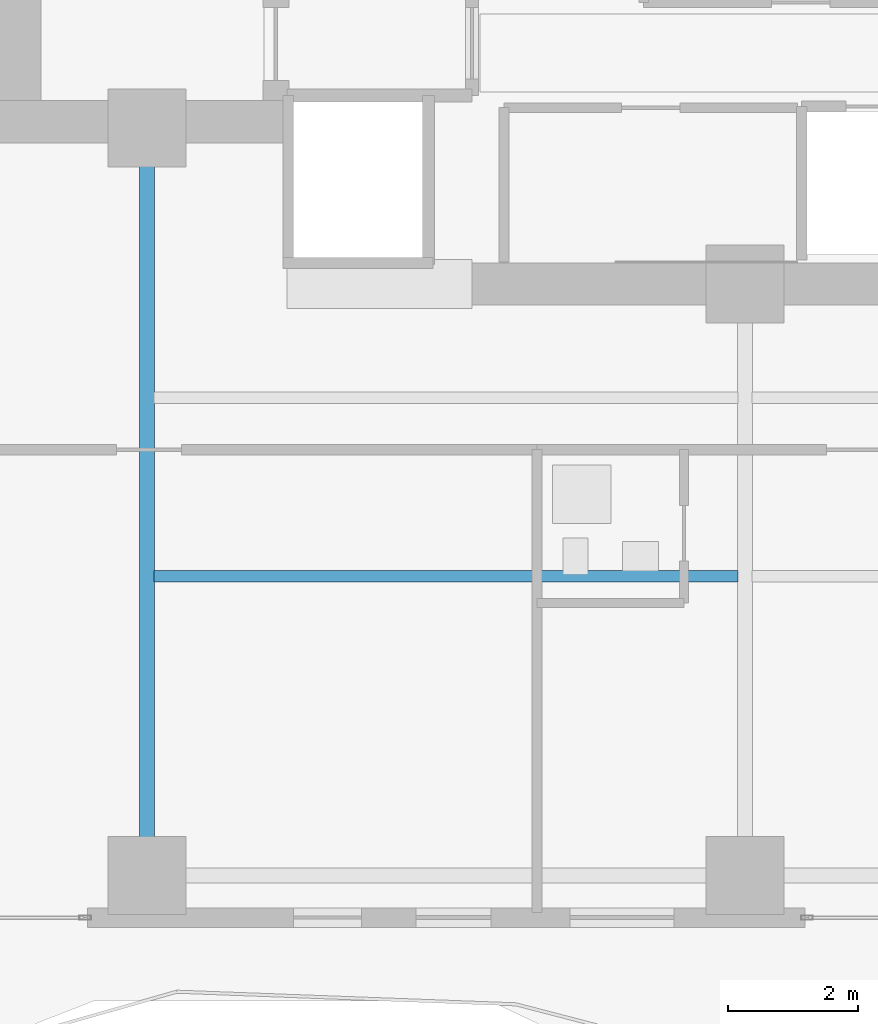
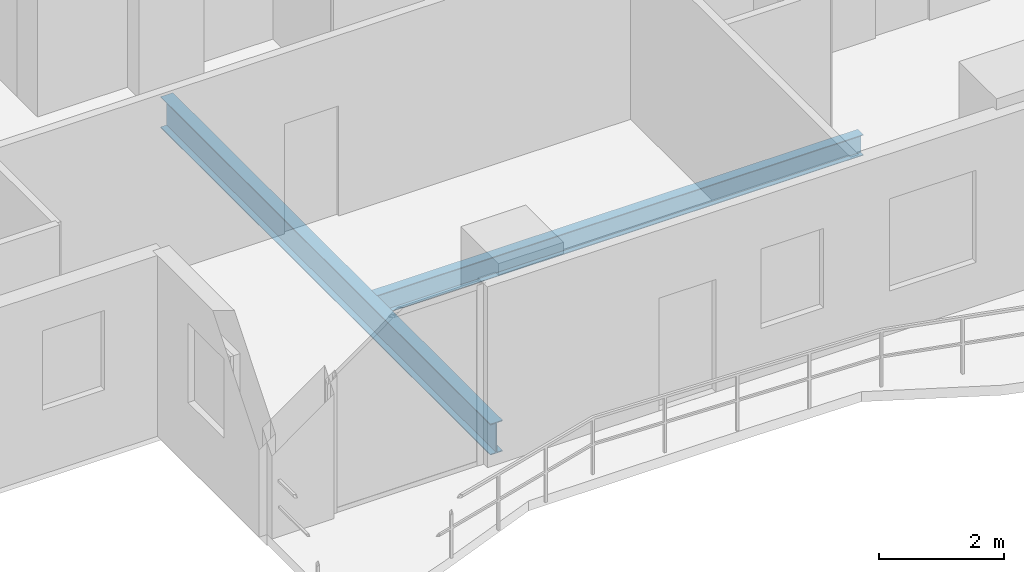
# One storey, part 3 of 33: 2 beams.
"""IFC4 building model written with IfcOpenShell, lengths in metres."""

from ifc_helpers import new_model, si_unit, direction, frame, origin, origin_2d, place, context, subcontext, project, spatial, i_section, extrude, material, material_profile, profile_set, type_object, element, save


model = new_model("IFC4")

# Units and contexts
model_context = context("Model", 3, precision=1e-05, world=origin(), true_north=direction((0.0, 1.0)))
body_context = subcontext(model_context, "Body", "Model", "MODEL_VIEW")
ifc_project = project(units=[si_unit("LENGTHUNIT", "METRE"), si_unit("AREAUNIT", "SQUARE_METRE"), si_unit("VOLUMEUNIT", "CUBIC_METRE"), si_unit("PLANEANGLEUNIT", "RADIAN"), si_unit("MASSUNIT", "GRAM", prefix="KILO")], contexts=[model_context])

# Site, building, storey
site_placement = place(None, origin())
site = spatial("IfcSite", under=ifc_project, at=site_placement, CompositionType="ELEMENT")
building_placement = place(site_placement, origin())
building = spatial("IfcBuilding", under=site, at=building_placement, Name="Zuhayl Quay Hotel", CompositionType="ELEMENT")
storey_placement = place(building_placement, frame((0.0, 0.0, 207.39990234375)))
storey = spatial("IfcBuildingStorey", under=building, at=storey_placement, Name="L52", CompositionType="ELEMENT", Elevation=207.39990234375)

# Beams
ifc_material = material(Name="Steel ASTM A992 Grade 50", Category="steel")
ifc_material_profile_1 = material_profile(ifc_material, i_section(OverallWidth=0.22802734375, OverallDepth=0.60693359375, WebThickness=0.01123046875, FlangeThickness=0.017333984375, at=origin_2d()), Name="W24X76")
ifc_profile_set_1 = profile_set([ifc_material_profile_1], Name="Steel ASTM A992 Grade 50")
beam_type_1 = type_object("IfcBeamType", Name="BM_B3_W24X76", PredefinedType="BEAM", material=ifc_profile_set_1)
beam_1_placement = place(storey_placement, frame((-13.800048828125, -6.449951171875, -0.5234375), z_axis=(0.0, 1.0, 0.0), x_axis=(-1.0, 0.0, 0.0)))
element("IfcBeam", 1, at=beam_1_placement, inside=storey, type_object=beam_type_1, Name="L52 Floor Beam FG_S_L52_1", PredefinedType="BEAM", context=body_context, shape_type="SweptSolid", body=[
    extrude(i_section(OverallWidth=0.22802734375, OverallDepth=0.60693359375, WebThickness=0.01123046875, FlangeThickness=0.017333984375, at=origin_2d()), origin(), (0.0, 0.0, 1.0), 10.550048828125),
])
ifc_material_profile_2 = material_profile(ifc_material, i_section(OverallWidth=0.177978515625, OverallDepth=0.406005859375, WebThickness=0.0078125, FlangeThickness=0.0126953125, at=origin_2d()), Name="W16X40")
ifc_profile_set_2 = profile_set([ifc_material_profile_2], Name="Steel ASTM A992 Grade 50")
beam_type_2 = type_object("IfcBeamType", Name="BM_J2B_W16X40", PredefinedType="JOIST", material=ifc_profile_set_2)
beam_2_placement = place(storey_placement, frame((-13.694091796875, -2.35009765625, -0.4228515625), z_axis=(1.0, 0.0, 0.0), x_axis=(0.0, 1.0, 0.0)))
element("IfcBeam", 2, at=beam_2_placement, inside=storey, type_object=beam_type_2, Name="L52 Floor Beam FJ_L52_7_1", PredefinedType="JOIST", context=body_context, shape_type="SweptSolid", body=[
    extrude(i_section(OverallWidth=0.177978515625, OverallDepth=0.406005859375, WebThickness=0.0078125, FlangeThickness=0.0126953125, at=origin_2d()), origin(), (0.0, 0.0, 1.0), 8.988037109375),
])

save(model, "model.ifc")
